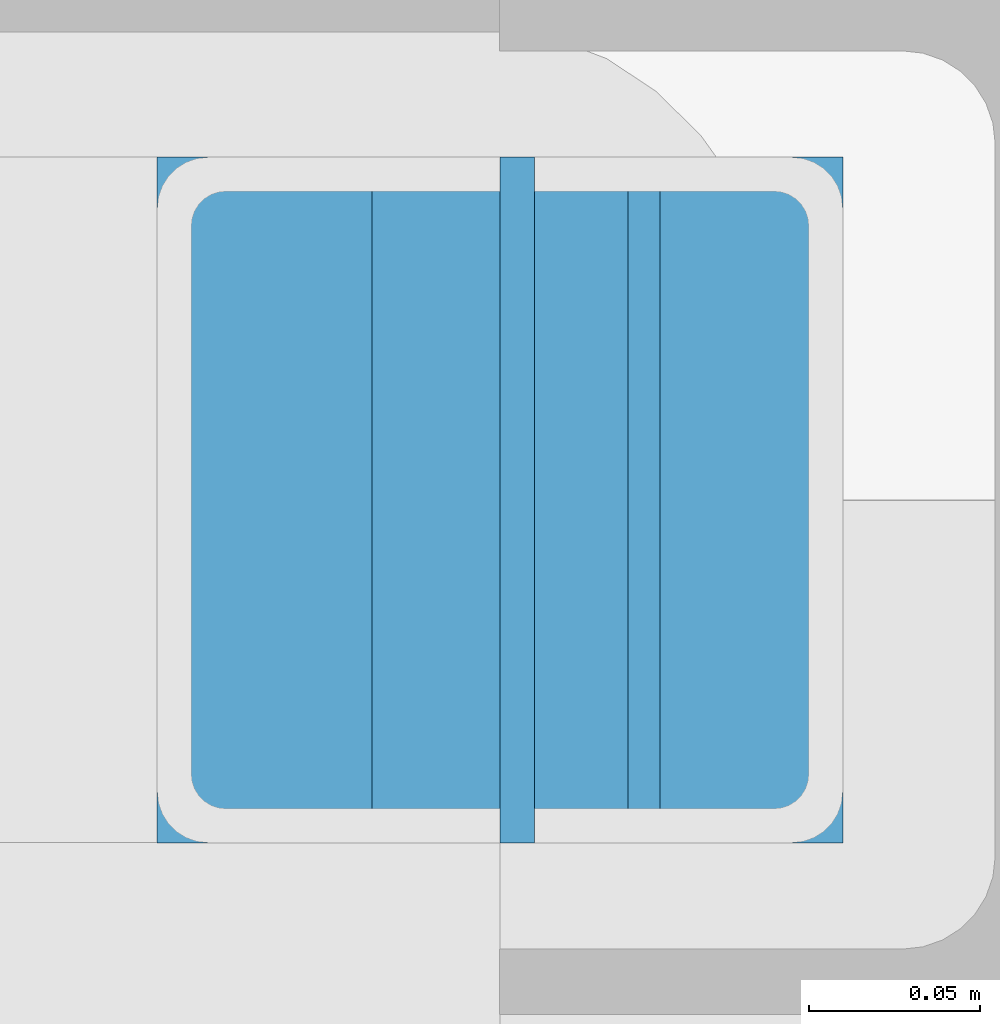
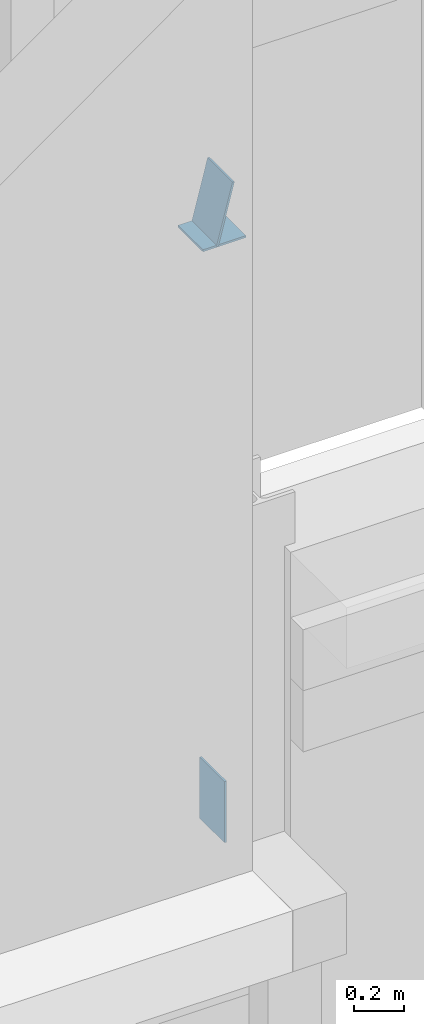
# One storey, part 122 of 149: 3 discrete accessories.
"""IFC4 building model written with IfcOpenShell, lengths in metres."""

from ifc_helpers import new_model, si_unit, direction, frame, origin, origin_2d, place, context, subcontext, project, spatial, rectangle, extrude, material, material_profile, profile_set, type_object, element, save


model = new_model("IFC4")

# Units and contexts
model_context = context("Model", 3, precision=1e-05, world=origin(), true_north=direction((0.0, 1.0)))
body_context = subcontext(model_context, "Body", "Model", "MODEL_VIEW")
ifc_project = project(units=[si_unit("LENGTHUNIT", "METRE"), si_unit("AREAUNIT", "SQUARE_METRE"), si_unit("VOLUMEUNIT", "CUBIC_METRE"), si_unit("PLANEANGLEUNIT", "RADIAN"), si_unit("MASSUNIT", "GRAM", prefix="KILO")], contexts=[model_context])

# Site, building, storey
site_placement = place(None, origin())
site = spatial("IfcSite", under=ifc_project, at=site_placement, CompositionType="ELEMENT")
building_placement = place(site_placement, origin())
building = spatial("IfcBuilding", under=site, at=building_placement, Name="Kallimachos Central Library", CompositionType="ELEMENT")
storey_placement = place(building_placement, frame((0.0, 0.0, 9.89990234375)))
storey = spatial("IfcBuildingStorey", under=building, at=storey_placement, Name="L02", CompositionType="ELEMENT", Elevation=9.89990234375)

# Discrete accessories
ifc_material_1 = material(Name="Steel S355J2", Category="steel")
ifc_material_profile_1 = material_profile(ifc_material_1, rectangle(XDim=0.199951171875, YDim=0.199951171875, at=origin_2d()), Name="End cap plate 10, 200x200")
ifc_profile_set_1 = profile_set([ifc_material_profile_1], Name="Steel S355J2")
discrete_accessory_type_1 = type_object("IfcDiscreteAccessoryType", Name="End cap plate 10, 200x200", PredefinedType="BRACKET", material=ifc_profile_set_1)
discrete_accessory_1_placement = place(storey_placement, frame((161.85009765625, 87.0, 5.78759765625), z_axis=(0.0, 0.0, 1.0), x_axis=(1.0, 0.0, 0.0)))
element("IfcDiscreteAccessory", 1, at=discrete_accessory_1_placement, inside=storey, type_object=discrete_accessory_type_1, Name="End cap plate", PredefinedType="BRACKET", context=body_context, shape_type="SweptSolid", body=[
    extrude(rectangle(XDim=0.199951171875, YDim=0.199951171875, at=origin_2d()), origin(), (0.0, 0.0, 1.0), 0.010009765625),
])
ifc_material_2 = material(Name="Steel S355J2", Category="steel")
ifc_material_profile_2 = material_profile(ifc_material_2, rectangle(XDim=0.199951171875, YDim=0.300048828125, at=origin_2d()), Name="End cap plate 10, 200x300")
ifc_profile_set_2 = profile_set([ifc_material_profile_2], Name="Steel S355J2")
discrete_accessory_type_2 = type_object("IfcDiscreteAccessoryType", Name="End cap plate 10, 200x300", PredefinedType="BRACKET", material=ifc_profile_set_2)
discrete_accessory_2_placement = place(storey_placement, frame((161.85009765625, 87.0, 3.0), z_axis=(1.0, 0.0, 0.0), x_axis=(0.0, 1.0, 0.0)))
element("IfcDiscreteAccessory", 2, at=discrete_accessory_2_placement, inside=storey, type_object=discrete_accessory_type_2, Name="End cap plate", PredefinedType="BRACKET", context=body_context, shape_type="SweptSolid", body=[
    extrude(rectangle(XDim=0.199951171875, YDim=0.300048828125, at=origin_2d()), origin(), (0.0, 0.0, 1.0), 0.010009765625),
])
discrete_accessory_3_placement = place(storey_placement, frame((161.85009765625, 87.0, 5.9375), z_axis=(0.968663866044, 0.0, -0.248375350268), x_axis=(0.0, 1.0, 0.0)))
element("IfcDiscreteAccessory", 3, at=discrete_accessory_3_placement, inside=storey, type_object=discrete_accessory_type_2, Name="End cap plate", PredefinedType="BRACKET", context=body_context, shape_type="SweptSolid", body=[
    extrude(rectangle(XDim=0.199951171875, YDim=0.300048828125, at=origin_2d()), origin(), (0.0, 0.0, 1.0), 0.009765625),
])

save(model, "model.ifc")
